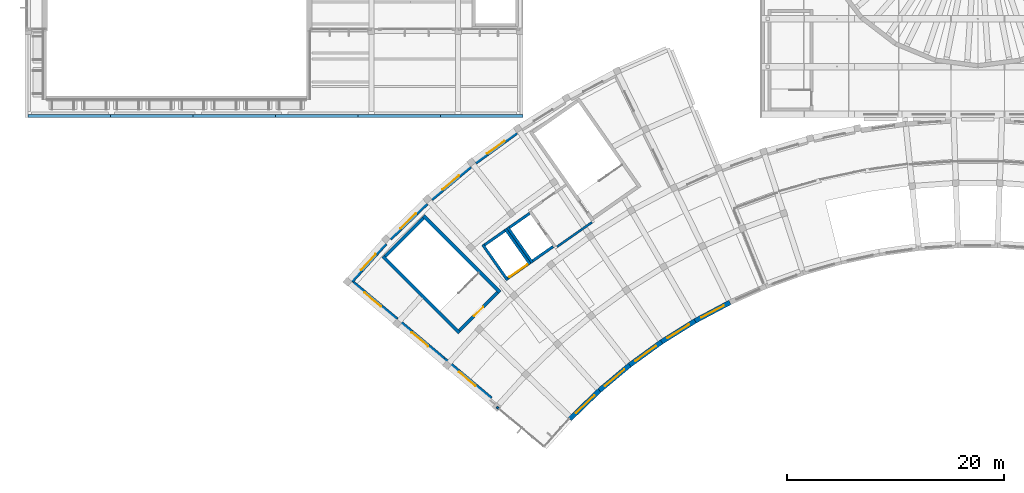
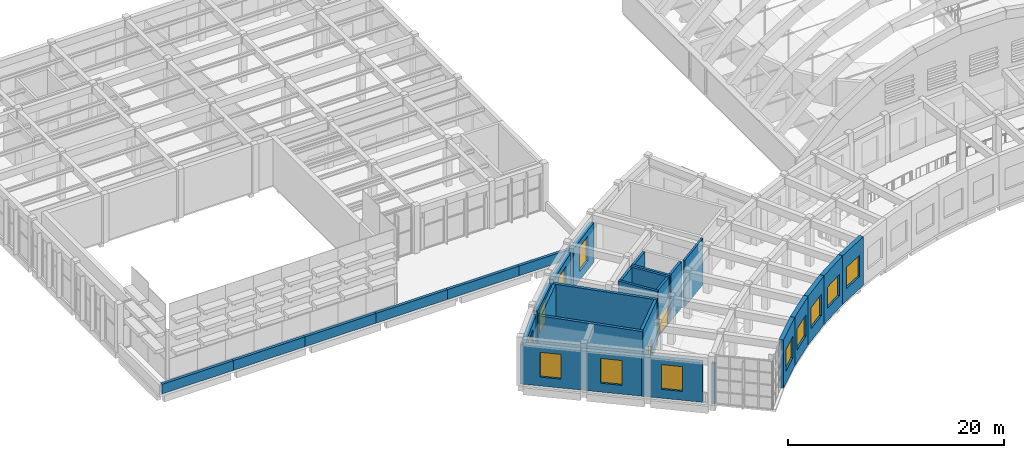
# One storey, part 59 of 94: 31 walls, 12 windows, 2 doors, 14 openings.
"""IFC4 building model written with IfcOpenShell, lengths in metres."""

import ifcopenshell
import ifcopenshell.guid

model = None  # the IFC model being written
_history = None  # IfcOwnerHistory: only IFC2X3 demands one
_inside = {}  # id of a spatial element -> (the spatial element, [elements in it])
_under = {}  # id of a project, library or spatial element -> (it, [spatial elements below it])
_declared = {}  # id of a project -> (the project, [libraries it declares])
_typed = {}  # id of a type object -> (the type object, [elements of that type])
_made_of = {}  # id of a material, layer set ... -> (it, [elements and type objects made of it])


def new_model(schema):
    """Start an empty IFC model of exactly this schema.

    Asked for "IFC4X3", IfcOpenShell would pick the latest addendum, in which some entities
    have other attributes; the version numbers below select the first issue.
    IFC2X3 requires an IfcOwnerHistory on every rooted entity: one is made here for all.
    """
    global model, _history
    if schema == "IFC4X3":
        model = ifcopenshell.file(schema_version=(4, 3, 0, 0))
    else:
        model = ifcopenshell.file(schema=schema)
    _inside.clear()
    _under.clear()
    _declared.clear()
    _typed.clear()
    _made_of.clear()
    _history = None
    if model.schema == "IFC2X3":
        org = make("IfcOrganization", Name="unknown")
        user = make(
            "IfcPersonAndOrganization",
            ThePerson=make("IfcPerson", FamilyName="unknown"),
            TheOrganization=org,
        )
        app = make(
            "IfcApplication",
            ApplicationDeveloper=org,
            Version="unknown",
            ApplicationFullName="unknown",
            ApplicationIdentifier="unknown",
        )
        _history = make(
            "IfcOwnerHistory",
            OwningUser=user,
            OwningApplication=app,
            ChangeAction="ADDED",
            CreationDate=0,
        )
    return model


def make(cls, **values):
    """One entity of the class cls with the attributes given. An attribute that is None is left unset."""
    return model.create_entity(
        cls, **{name: value for name, value in values.items() if value is not None}
    )


def rooted(cls, **values):
    """An entity with a GlobalId (a new one), such as an element, a storey or a relation."""
    return make(cls, GlobalId=ifcopenshell.guid.new(), OwnerHistory=_history, **values)


def si_unit(unit_type, name, prefix=None):
    """IfcSIUnit, for example si_unit("LENGTHUNIT", "METRE", prefix="MILLI")."""
    return make("IfcSIUnit", UnitType=unit_type, Prefix=prefix, Name=name)


def assignment(units):
    """IfcUnitAssignment: the units of a project."""
    return None if units is None else make("IfcUnitAssignment", Units=units)


def point(xyz):
    """IfcCartesianPoint."""
    return None if xyz is None else make("IfcCartesianPoint", Coordinates=xyz)


def direction(xyz):
    """IfcDirection."""
    return None if xyz is None else make("IfcDirection", DirectionRatios=xyz)


def frame(location, z_axis=None, x_axis=None):
    """IfcAxis2Placement3D, a coordinate frame: its origin and axes. An axis left out is left unset."""
    return make(
        "IfcAxis2Placement3D",
        Location=point(location),
        Axis=direction(z_axis),
        RefDirection=direction(x_axis),
    )


def frame_2d(location, x_axis=None):
    """IfcAxis2Placement2D, a coordinate frame in the plane: its origin and x axis."""
    return make(
        "IfcAxis2Placement2D", Location=point(location), RefDirection=direction(x_axis)
    )


def origin():
    """The frame at (0, 0, 0) with its axes left unset."""
    return frame((0.0, 0.0, 0.0))


def place(relative_to, where):
    """IfcLocalPlacement: puts the frame where relative to a parent placement (None: the world)."""
    return make(
        "IfcLocalPlacement", PlacementRelTo=relative_to, RelativePlacement=where
    )


def context(
    kind, dimensions, precision=None, world=None, true_north=None, identifier=None
):
    """IfcGeometricRepresentationContext, for example the 3D "Model" context."""
    return make(
        "IfcGeometricRepresentationContext",
        ContextIdentifier=identifier,
        ContextType=kind,
        CoordinateSpaceDimension=dimensions,
        Precision=precision,
        WorldCoordinateSystem=world,
        TrueNorth=true_north,
    )


def subcontext(parent, identifier, kind, view, scale=None):
    """IfcGeometricRepresentationSubContext, for example "Body" below "Model"."""
    return make(
        "IfcGeometricRepresentationSubContext",
        ContextIdentifier=identifier,
        ContextType=kind,
        ParentContext=parent,
        TargetScale=scale,
        TargetView=view,
    )


def project(units=None, contexts=None):
    """IfcProject with its units and contexts."""
    return rooted(
        "IfcProject",
        Name="project",
        RepresentationContexts=contexts,
        UnitsInContext=assignment(units),
    )


def spatial(cls, under=None, at=None, **own):
    """A site, building, storey or space (cls), placed at a placement, below another one or the project."""
    s = rooted(cls, ObjectPlacement=at, **own)
    if under is not None:
        _under.setdefault(under.id(), (under, []))[1].append(s)
    return s


def profile(cls, at=None, kind="AREA", **sizes):
    """A parametric profile (cls). Its sizes go by their IFC names, for example OverallWidth=200.0."""
    return make(cls, ProfileType=kind, Position=at, **sizes)


def rectangle(**sizes):
    """IfcRectangleProfileDef."""
    return profile("IfcRectangleProfileDef", **sizes)


def extrude(swept, where, along, depth):
    """IfcExtrudedAreaSolid: the profile swept, set in the frame where, extruded along a direction by depth."""
    return make(
        "IfcExtrudedAreaSolid",
        SweptArea=swept,
        Position=where,
        ExtrudedDirection=direction(along),
        Depth=depth,
    )


def shape(context_of_items, identifier, shape_type, items):
    """IfcShapeRepresentation: the items that make up one representation, for example the "Body"."""
    return make(
        "IfcShapeRepresentation",
        ContextOfItems=context_of_items,
        RepresentationIdentifier=identifier,
        RepresentationType=shape_type,
        Items=items,
    )


def material(Name=None, Category=None):
    """IfcMaterial."""
    return make("IfcMaterial", Name=Name, Category=Category)


def layer(
    of_material, thickness, ventilated=None, Name=None, Category=None, Priority=None
):
    """IfcMaterialLayer: one layer of a wall or slab, of a material (None: an air gap)."""
    return make(
        "IfcMaterialLayer",
        Material=of_material,
        LayerThickness=thickness,
        IsVentilated=ventilated,
        Name=Name,
        Category=Category,
        Priority=Priority,
    )


def layer_set(layers, Name=None):
    """IfcMaterialLayerSet."""
    return make("IfcMaterialLayerSet", MaterialLayers=layers, LayerSetName=Name)


def made_of(thing, what):
    """Note that an element or type object is made of a material, layer set ...; save() writes the relation."""
    if what is not None:
        _made_of.setdefault(what.id(), (what, []))[1].append(thing)
    return thing


def type_object(cls, material=None, **own):
    """A type object (cls), such as IfcWallType, which elements share."""
    return made_of(rooted(cls, **own), material)


def element(
    cls,
    number,
    at=None,
    inside=None,
    cuts=None,
    type_object=None,
    material=None,
    context=None,
    identifier="Body",
    shape_type=None,
    held_by="IfcProductDefinitionShape",
    body=None,
    shapes=None,
    **own,
):
    """One element of the class cls, such as IfcWall. Its Tag is "e" and its number.

    at: its placement. inside: the storey or other place that contains it. cuts: it is an
    opening in that element (IfcRelVoidsElement). A single representation is given by context,
    identifier, shape_type and body (its items); several are given by shapes. held_by: the class
    of the entity that holds the representations. save() writes the other relations.
    """
    e = rooted(cls, Tag="e%d" % number, ObjectPlacement=at, **own)
    if body is not None:
        shapes = [shape(context, identifier, shape_type, body)]
    if shapes is not None:
        e.Representation = make(held_by, Representations=shapes)
    if inside is not None:
        _inside.setdefault(inside.id(), (inside, []))[1].append(e)
    if cuts is not None:
        rooted(
            "IfcRelVoidsElement", RelatingBuildingElement=cuts, RelatedOpeningElement=e
        )
    if type_object is not None:
        _typed.setdefault(type_object.id(), (type_object, []))[1].append(e)
    return made_of(e, material)


def fill(opening, filler):
    """IfcRelFillsElement: the door or window that sits in an opening."""
    return rooted(
        "IfcRelFillsElement",
        RelatingOpeningElement=opening,
        RelatedBuildingElement=filler,
    )


def aggregate(whole, parts):
    """IfcRelAggregates: a whole, such as a stair, and the parts it consists of."""
    return rooted("IfcRelAggregates", RelatingObject=whole, RelatedObjects=parts)


def save(model, path):
    """Write the relations noted so far, then the file.

    IfcRelAggregates (storeys below a building ...), IfcRelContainedInSpatialStructure (elements
    in a storey), IfcRelDefinesByType, IfcRelAssociatesMaterial and IfcRelDeclares: one each for
    every whole, place, type object, material and project.
    """
    for whole, parts in _under.values():
        aggregate(whole, parts)
    for where, things in _inside.values():
        rooted(
            "IfcRelContainedInSpatialStructure",
            RelatedElements=things,
            RelatingStructure=where,
        )
    for kind, things in _typed.values():
        rooted("IfcRelDefinesByType", RelatedObjects=things, RelatingType=kind)
    for what, things in _made_of.values():
        rooted("IfcRelAssociatesMaterial", RelatedObjects=things, RelatingMaterial=what)
    for by, libraries in _declared.values():
        rooted("IfcRelDeclares", RelatingContext=by, RelatedDefinitions=libraries)
    model.write(path)


model = new_model("IFC4")

# Units and contexts
model_context = context("Model", 3, precision=1e-05, world=origin(), true_north=direction((0.0, 1.0)))
body_context = subcontext(model_context, "Body", "Model", "MODEL_VIEW")
ifc_project = project(units=[si_unit("LENGTHUNIT", "METRE"), si_unit("AREAUNIT", "SQUARE_METRE"), si_unit("VOLUMEUNIT", "CUBIC_METRE"), si_unit("PLANEANGLEUNIT", "RADIAN"), si_unit("MASSUNIT", "GRAM", prefix="KILO")], contexts=[model_context])

# Site, building, storey
site_placement = place(None, origin())
site = spatial("IfcSite", under=ifc_project, at=site_placement, CompositionType="ELEMENT")
building_placement = place(site_placement, origin())
building = spatial("IfcBuilding", under=site, at=building_placement, Name="Lunette Opera House", CompositionType="ELEMENT")
storey_placement = place(building_placement, frame((0.0, 0.0, 22.5)))
storey = spatial("IfcBuildingStorey", under=building, at=storey_placement, Name="L04", CompositionType="ELEMENT", Elevation=22.5)

# Wall, opening, window
ifc_material_1 = material(Name="Clinker brick", Category="masonry")
ifc_layer_1 = layer(ifc_material_1, 0.449951171875)
ifc_layer_set_1 = layer_set([ifc_layer_1], Name="Clinker brick")
wall_type_1 = type_object("IfcWallType", Name="ARM END WALL 450", PredefinedType="SOLIDWALL", material=ifc_layer_set_1)
wall_1_placement = place(storey_placement, frame((51.02490234375, 38.032958984375, 0.0), z_axis=(0.0, 0.0, 1.0), x_axis=(-0.766065006368, 0.642763102565, 0.0)))
wall_1 = element("IfcWall", 1, at=wall_1_placement, inside=storey, type_object=wall_type_1, Name="Arm End Wall 450 EN-W1 L04", PredefinedType="SOLIDWALL", context=body_context, shape_type="SweptSolid", body=[
    extrude(rectangle(XDim=5.700439453125, YDim=0.449951171875, at=frame_2d((2.85009765625, 0.0))), origin(), (0.0, 0.0, 1.0), 4.449951171875),
])
opening_1_placement = place(wall_1_placement, frame((1.85009765625, 0.0, 1.0)))
opening_1 = element("IfcOpeningElement", 2, at=opening_1_placement, cuts=wall_1, Name="Opening FC-N2089", PredefinedType="OPENING", context=body_context, shape_type="SweptSolid", body=[
    extrude(rectangle(XDim=2.0, YDim=2.800048828125, at=frame_2d((1.0, 1.39990234375))), frame((0.0, 0.237060546875, 0.0), z_axis=(0.0, -1.0, 0.0), x_axis=(1.0, 0.0, 0.0)), (0.0, 0.0, 1.0), 0.473876953125),
])
ifc_material_2 = material(Name="Aluminium", Category="aluminium")
window_type_1 = type_object("IfcWindowType", Name="ARM WINDOW 2000 X 2800", PartitioningType="DOUBLE_PANEL_VERTICAL", PredefinedType="WINDOW", material=ifc_material_2)
window_1_placement = place(opening_1_placement, origin())
window_1 = element("IfcWindow", 3, at=window_1_placement, inside=storey, type_object=window_type_1, Name="Arm Window 2000 X 2800 EN-W1 L04", OverallHeight=2.800048828125, OverallWidth=2.0, PartitioningType="DOUBLE_PANEL_VERTICAL", PredefinedType="WINDOW", context=body_context, shape_type="SweptSolid", body=[
    extrude(rectangle(XDim=2.0, YDim=2.800048828125, at=frame_2d((1.0, 1.39990234375))), frame((0.0, 0.030029296875, 0.0), z_axis=(0.0, -1.0, 0.0), x_axis=(1.0, 0.0, 0.0)), (0.0, 0.0, 1.0), 0.06005859375),
])
fill(opening_1, window_1)

wall_2_placement = place(storey_placement, frame((46.657958984375, 41.697021484375, 0.0), z_axis=(0.0, 0.0, 1.0), x_axis=(-0.766078586631, 0.642746916838, 0.0)))
wall_2 = element("IfcWall", 4, at=wall_2_placement, inside=storey, type_object=wall_type_1, Name="Arm End Wall 450 EN-W2 L04", PredefinedType="SOLIDWALL", context=body_context, shape_type="SweptSolid", body=[
    extrude(rectangle(XDim=5.69921875, YDim=0.449951171875, at=frame_2d((2.849609375, 0.0))), origin(), (0.0, 0.0, 1.0), 4.449951171875),
])
opening_2_placement = place(wall_2_placement, frame((1.85009765625, 0.0, 1.0)))
opening_2 = element("IfcOpeningElement", 5, at=opening_2_placement, cuts=wall_2, Name="Opening FC-N2090", PredefinedType="OPENING", context=body_context, shape_type="SweptSolid", body=[
    extrude(rectangle(XDim=2.0, YDim=2.800048828125, at=frame_2d((1.0, 1.39990234375))), frame((0.0, 0.237060546875, 0.0), z_axis=(0.0, -1.0, 0.0), x_axis=(1.0, 0.0, 0.0)), (0.0, 0.0, 1.0), 0.473876953125),
])
window_2_placement = place(opening_2_placement, origin())
window_2 = element("IfcWindow", 6, at=window_2_placement, inside=storey, type_object=window_type_1, Name="Arm Window 2000 X 2800 EN-W2 L04", OverallHeight=2.800048828125, OverallWidth=2.0, PartitioningType="DOUBLE_PANEL_VERTICAL", PredefinedType="WINDOW", context=body_context, shape_type="SweptSolid", body=[
    extrude(rectangle(XDim=2.0, YDim=2.800048828125, at=frame_2d((1.0, 1.39990234375))), frame((0.0, 0.030029296875, 0.0), z_axis=(0.0, -1.0, 0.0), x_axis=(1.0, 0.0, 0.0)), (0.0, 0.0, 1.0), 0.06005859375),
])
fill(opening_2, window_2)

wall_3_placement = place(storey_placement, frame((42.2919921875, 45.360107421875, 0.0), z_axis=(0.0, 0.0, 1.0), x_axis=(-0.766086094987, 0.642737967657, 0.0)))
wall_3 = element("IfcWall", 7, at=wall_3_placement, inside=storey, type_object=wall_type_1, Name="Arm End Wall 450 EN-W3 L04", PredefinedType="SOLIDWALL", context=body_context, shape_type="SweptSolid", body=[
    extrude(rectangle(XDim=5.700439453125, YDim=0.449951171875, at=frame_2d((2.85009765625, 0.0))), origin(), (0.0, 0.0, 1.0), 4.449951171875),
])
opening_3_placement = place(wall_3_placement, frame((1.85009765625, 0.0, 1.0)))
opening_3 = element("IfcOpeningElement", 8, at=opening_3_placement, cuts=wall_3, Name="Opening FC-N2091", PredefinedType="OPENING", context=body_context, shape_type="SweptSolid", body=[
    extrude(rectangle(XDim=2.0, YDim=2.800048828125, at=frame_2d((1.0, 1.39990234375))), frame((0.0, 0.237060546875, 0.0), z_axis=(0.0, -1.0, 0.0), x_axis=(1.0, 0.0, 0.0)), (0.0, 0.0, 1.0), 0.473876953125),
])
window_3_placement = place(opening_3_placement, origin())
window_3 = element("IfcWindow", 9, at=window_3_placement, inside=storey, type_object=window_type_1, Name="Arm Window 2000 X 2800 EN-W3 L04", OverallHeight=2.800048828125, OverallWidth=2.0, PartitioningType="DOUBLE_PANEL_VERTICAL", PredefinedType="WINDOW", context=body_context, shape_type="SweptSolid", body=[
    extrude(rectangle(XDim=2.0, YDim=2.800048828125, at=frame_2d((1.0, 1.39990234375))), frame((0.0, 0.030029296875, 0.0), z_axis=(0.0, -1.0, 0.0), x_axis=(1.0, 0.0, 0.0)), (0.0, 0.0, 1.0), 0.06005859375),
])
fill(opening_3, window_3)

ifc_material_3 = material(Name="Clinker brick", Category="masonry")
ifc_layer_2 = layer(ifc_material_3, 0.449951171875)
ifc_layer_set_2 = layer_set([ifc_layer_2], Name="Clinker brick")
wall_type_2 = type_object("IfcWallType", Name="ARM RAIN SCREEN WALL 450", PredefinedType="SOLIDWALL", material=ifc_layer_set_2)
wall_4_placement = place(storey_placement, frame((38.154052734375, 48.929931640625, 0.0), z_axis=(0.0, 0.0, 1.0), x_axis=(0.669007879878, 0.74325531055, 0.0)))
wall_4 = element("IfcWall", 10, at=wall_4_placement, inside=storey, type_object=wall_type_2, Name="Arm Rain Screen Wall 450 BW-CW01 L04", PredefinedType="SOLIDWALL", context=body_context, shape_type="SweptSolid", body=[
    extrude(rectangle(XDim=4.68896484375, YDim=0.449951171875, at=frame_2d((2.344482421875, 0.0))), origin(), (0.0, 0.0, 1.0), 4.449951171875),
])
opening_4_placement = place(wall_4_placement, frame((1.344970703125, 0.0, 1.0)))
opening_4 = element("IfcOpeningElement", 11, at=opening_4_placement, cuts=wall_4, Name="Opening FC-N2111", PredefinedType="OPENING", context=body_context, shape_type="SweptSolid", body=[
    extrude(rectangle(XDim=2.0, YDim=2.800048828125, at=frame_2d((1.0, 1.39990234375))), frame((0.0, 0.237060546875, 0.0), z_axis=(0.0, -1.0, 0.0), x_axis=(1.0, 0.0, 0.0)), (0.0, 0.0, 1.0), 0.473876953125),
])
window_4_placement = place(opening_4_placement, origin())
window_4 = element("IfcWindow", 12, at=window_4_placement, inside=storey, type_object=window_type_1, Name="Arm Window 2000 X 2800 BW-CW01 L04", OverallHeight=2.800048828125, OverallWidth=2.0, PartitioningType="DOUBLE_PANEL_VERTICAL", PredefinedType="WINDOW", context=body_context, shape_type="SweptSolid", body=[
    extrude(rectangle(XDim=2.0, YDim=2.800048828125, at=frame_2d((1.0, 1.39990234375))), frame((0.0, 0.030029296875, 0.0), z_axis=(0.0, -1.0, 0.0), x_axis=(1.0, 0.0, 0.0)), (0.0, 0.0, 1.0), 0.06005859375),
])
fill(opening_4, window_4)

wall_5_placement = place(storey_placement, frame((41.7080078125, 52.845947265625, 0.0), z_axis=(0.0, 0.0, 1.0), x_axis=(0.719260611584, 0.694740363462, 0.0)))
wall_5 = element("IfcWall", 13, at=wall_5_placement, inside=storey, type_object=wall_type_2, Name="Arm Rain Screen Wall 450 BW-CW02 L04", PredefinedType="SOLIDWALL", context=body_context, shape_type="SweptSolid", body=[
    extrude(rectangle(XDim=4.689697265625, YDim=0.449951171875, at=frame_2d((2.3447265625, 0.0))), origin(), (0.0, 0.0, 1.0), 4.449951171875),
])
opening_5_placement = place(wall_5_placement, frame((1.344970703125, 0.0, 1.0)))
opening_5 = element("IfcOpeningElement", 14, at=opening_5_placement, cuts=wall_5, Name="Opening FC-N2115", PredefinedType="OPENING", context=body_context, shape_type="SweptSolid", body=[
    extrude(rectangle(XDim=2.0, YDim=2.800048828125, at=frame_2d((1.0, 1.39990234375))), frame((0.0, 0.237060546875, 0.0), z_axis=(0.0, -1.0, 0.0), x_axis=(1.0, 0.0, 0.0)), (0.0, 0.0, 1.0), 0.473876953125),
])
window_5_placement = place(opening_5_placement, origin())
window_5 = element("IfcWindow", 15, at=window_5_placement, inside=storey, type_object=window_type_1, Name="Arm Window 2000 X 2800 BW-CW02 L04", OverallHeight=2.800048828125, OverallWidth=2.0, PartitioningType="DOUBLE_PANEL_VERTICAL", PredefinedType="WINDOW", context=body_context, shape_type="SweptSolid", body=[
    extrude(rectangle(XDim=2.0, YDim=2.800048828125, at=frame_2d((1.0, 1.39990234375))), frame((0.0, 0.030029296875, 0.0), z_axis=(0.0, -1.0, 0.0), x_axis=(1.0, 0.0, 0.0)), (0.0, 0.0, 1.0), 0.06005859375),
])
fill(opening_5, window_5)

wall_6_placement = place(storey_placement, frame((45.527099609375, 56.5048828125, 0.0), z_axis=(0.0, 0.0, 1.0), x_axis=(0.765928460401, 0.642925807187, 0.0)))
wall_6 = element("IfcWall", 16, at=wall_6_placement, inside=storey, type_object=wall_type_2, Name="Arm Rain Screen Wall 450 BW-CW03 L04", PredefinedType="SOLIDWALL", context=body_context, shape_type="SweptSolid", body=[
    extrude(rectangle(XDim=4.688232421875, YDim=0.449951171875, at=frame_2d((2.34423828125, 0.0))), origin(), (0.0, 0.0, 1.0), 4.449951171875),
])
opening_6_placement = place(wall_6_placement, frame((1.343994140625, 0.0, 1.0)))
opening_6 = element("IfcOpeningElement", 17, at=opening_6_placement, cuts=wall_6, Name="Opening FC-N2120", PredefinedType="OPENING", context=body_context, shape_type="SweptSolid", body=[
    extrude(rectangle(XDim=2.0, YDim=2.800048828125, at=frame_2d((1.0, 1.39990234375))), frame((0.0, 0.237060546875, 0.0), z_axis=(0.0, -1.0, 0.0), x_axis=(1.0, 0.0, 0.0)), (0.0, 0.0, 1.0), 0.473876953125),
])
window_6_placement = place(opening_6_placement, origin())
window_6 = element("IfcWindow", 18, at=window_6_placement, inside=storey, type_object=window_type_1, Name="Arm Window 2000 X 2800 BW-CW03 L04", OverallHeight=2.800048828125, OverallWidth=2.0, PartitioningType="DOUBLE_PANEL_VERTICAL", PredefinedType="WINDOW", context=body_context, shape_type="SweptSolid", body=[
    extrude(rectangle(XDim=2.0, YDim=2.800048828125, at=frame_2d((1.0, 1.39990234375))), frame((0.0, 0.030029296875, 0.0), z_axis=(0.0, -1.0, 0.0), x_axis=(1.0, 0.0, 0.0)), (0.0, 0.0, 1.0), 0.06005859375),
])
fill(opening_6, window_6)

wall_7_placement = place(storey_placement, frame((49.591064453125, 59.887939453125, 0.0), z_axis=(0.0, 0.0, 1.0), x_axis=(0.808981453193, 0.587834167423, 0.0)))
wall_7 = element("IfcWall", 19, at=wall_7_placement, inside=storey, type_object=wall_type_2, Name="Arm Rain Screen Wall 450 BW-CW04 L04", PredefinedType="SOLIDWALL", context=body_context, shape_type="SweptSolid", body=[
    extrude(rectangle(XDim=4.6884765625, YDim=0.449951171875, at=frame_2d((2.34423828125, 0.0))), origin(), (0.0, 0.0, 1.0), 4.449951171875),
])
opening_7_placement = place(wall_7_placement, frame((1.343994140625, 0.0, 1.0)))
opening_7 = element("IfcOpeningElement", 20, at=opening_7_placement, cuts=wall_7, Name="Opening FC-N2125", PredefinedType="OPENING", context=body_context, shape_type="SweptSolid", body=[
    extrude(rectangle(XDim=2.0, YDim=2.800048828125, at=frame_2d((1.0, 1.39990234375))), frame((0.0, 0.237060546875, 0.0), z_axis=(0.0, -1.0, 0.0), x_axis=(1.0, 0.0, 0.0)), (0.0, 0.0, 1.0), 0.473876953125),
])
window_7_placement = place(opening_7_placement, origin())
window_7 = element("IfcWindow", 21, at=window_7_placement, inside=storey, type_object=window_type_1, Name="Arm Window 2000 X 2800 BW-CW04 L04", OverallHeight=2.800048828125, OverallWidth=2.0, PartitioningType="DOUBLE_PANEL_VERTICAL", PredefinedType="WINDOW", context=body_context, shape_type="SweptSolid", body=[
    extrude(rectangle(XDim=2.0, YDim=2.800048828125, at=frame_2d((1.0, 1.39990234375))), frame((0.0, 0.030029296875, 0.0), z_axis=(0.0, -1.0, 0.0), x_axis=(1.0, 0.0, 0.0)), (0.0, 0.0, 1.0), 0.06005859375),
])
fill(opening_7, window_7)

ifc_material_4 = material(Name="Clinker brick", Category="masonry")
ifc_layer_3 = layer(ifc_material_4, 0.449951171875)
ifc_layer_set_3 = layer_set([ifc_layer_3], Name="Clinker brick")
wall_type_3 = type_object("IfcWallType", Name="CRESCENT BRICK WALL 450", PredefinedType="SOLIDWALL", material=ifc_layer_set_3)
wall_8_placement = place(storey_placement, frame((58.327880859375, 36.177978515625, 0.0), z_axis=(0.0, 0.0, 1.0), x_axis=(0.719395911917, 0.694600260522, 0.0)))
wall_8 = element("IfcWall", 22, at=wall_8_placement, inside=storey, type_object=wall_type_3, Name="Crescent Brick Wall 450 BW-A01 L04", PredefinedType="SOLIDWALL", context=body_context, shape_type="SweptSolid", body=[
    extrude(rectangle(XDim=3.790771484375, YDim=0.449951171875, at=frame_2d((1.8955078125, 0.0))), origin(), (0.0, 0.0, 1.0), 5.5),
])
opening_8_placement = place(wall_8_placement, frame((0.798095703125, 0.0, 1.39990234375)))
opening_8 = element("IfcOpeningElement", 23, at=opening_8_placement, cuts=wall_8, Name="Opening FC-N2003", PredefinedType="OPENING", context=body_context, shape_type="SweptSolid", body=[
    extrude(rectangle(XDim=2.340087890625, YDim=2.39990234375, at=frame_2d((1.169921875, 1.199951171875))), frame((0.0, 0.237060546875, 0.0), z_axis=(0.0, -1.0, 0.0), x_axis=(1.0, 0.0, 0.0)), (0.0, 0.0, 1.0), 0.473876953125),
])
ifc_material_5 = material(Name="Aluminium", Category="aluminium")
window_type_2 = type_object("IfcWindowType", Name="CHICAGO WINDOW 2340 X 2400", PartitioningType="TRIPLE_PANEL_VERTICAL", PredefinedType="WINDOW", material=ifc_material_5)
window_8_placement = place(opening_8_placement, origin())
window_8 = element("IfcWindow", 24, at=window_8_placement, inside=storey, type_object=window_type_2, Name="Chicago Window 2340 X 2400 BW-A01 L04", OverallHeight=2.39990234375, OverallWidth=2.340087890625, PartitioningType="TRIPLE_PANEL_VERTICAL", PredefinedType="WINDOW", context=body_context, shape_type="SweptSolid", body=[
    extrude(rectangle(XDim=2.340087890625, YDim=2.39990234375, at=frame_2d((1.169921875, 1.199951171875))), frame((0.0, 0.030029296875, 0.0), z_axis=(0.0, -1.0, 0.0), x_axis=(1.0, 0.0, 0.0)), (0.0, 0.0, 1.0), 0.06005859375),
])
fill(opening_8, window_8)

wall_9_placement = place(storey_placement, frame((61.054931640625, 38.81103515625, 0.0), z_axis=(0.0, 0.0, 1.0), x_axis=(0.766009592259, 0.642829141038, 0.0)))
wall_9 = element("IfcWall", 25, at=wall_9_placement, inside=storey, type_object=wall_type_3, Name="Crescent Brick Wall 450 BW-A02 L04", PredefinedType="SOLIDWALL", context=body_context, shape_type="SweptSolid", body=[
    extrude(rectangle(XDim=3.644775390625, YDim=0.449951171875, at=frame_2d((1.822265625, 0.0))), origin(), (0.0, 0.0, 1.0), 5.5),
])
opening_9_placement = place(wall_9_placement, frame((0.653076171875, 0.0, 1.39990234375)))
opening_9 = element("IfcOpeningElement", 26, at=opening_9_placement, cuts=wall_9, Name="Opening FC-N2006", PredefinedType="OPENING", context=body_context, shape_type="SweptSolid", body=[
    extrude(rectangle(XDim=2.340087890625, YDim=2.39990234375, at=frame_2d((1.169921875, 1.199951171875))), frame((0.0, 0.237060546875, 0.0), z_axis=(0.0, -1.0, 0.0), x_axis=(1.0, 0.0, 0.0)), (0.0, 0.0, 1.0), 0.473876953125),
])
window_9_placement = place(opening_9_placement, origin())
window_9 = element("IfcWindow", 27, at=window_9_placement, inside=storey, type_object=window_type_2, Name="Chicago Window 2340 X 2400 BW-A02 L04", OverallHeight=2.39990234375, OverallWidth=2.340087890625, PartitioningType="TRIPLE_PANEL_VERTICAL", PredefinedType="WINDOW", context=body_context, shape_type="SweptSolid", body=[
    extrude(rectangle(XDim=2.340087890625, YDim=2.39990234375, at=frame_2d((1.169921875, 1.199951171875))), frame((0.0, 0.030029296875, 0.0), z_axis=(0.0, -1.0, 0.0), x_axis=(1.0, 0.0, 0.0)), (0.0, 0.0, 1.0), 0.06005859375),
])
fill(opening_9, window_9)

wall_10_placement = place(storey_placement, frame((63.846923828125, 41.154052734375, 0.0), z_axis=(0.0, 0.0, 1.0), x_axis=(0.809109587744, 0.58765778734, 0.0)))
wall_10 = element("IfcWall", 28, at=wall_10_placement, inside=storey, type_object=wall_type_3, Name="Crescent Brick Wall 450 BW-A03 L04", PredefinedType="SOLIDWALL", context=body_context, shape_type="SweptSolid", body=[
    extrude(rectangle(XDim=3.644775390625, YDim=0.449951171875, at=frame_2d((1.822265625, 0.0))), origin(), (0.0, 0.0, 1.0), 5.5),
])
opening_10_placement = place(wall_10_placement, frame((0.653076171875, 0.0, 1.39990234375)))
opening_10 = element("IfcOpeningElement", 29, at=opening_10_placement, cuts=wall_10, Name="Opening FC-N2009", PredefinedType="OPENING", context=body_context, shape_type="SweptSolid", body=[
    extrude(rectangle(XDim=2.340087890625, YDim=2.39990234375, at=frame_2d((1.169921875, 1.199951171875))), frame((0.0, 0.237060546875, 0.0), z_axis=(0.0, -1.0, 0.0), x_axis=(1.0, 0.0, 0.0)), (0.0, 0.0, 1.0), 0.473876953125),
])
window_10_placement = place(opening_10_placement, origin())
window_10 = element("IfcWindow", 30, at=window_10_placement, inside=storey, type_object=window_type_2, Name="Chicago Window 2340 X 2400 BW-A03 L04", OverallHeight=2.39990234375, OverallWidth=2.340087890625, PartitioningType="TRIPLE_PANEL_VERTICAL", PredefinedType="WINDOW", context=body_context, shape_type="SweptSolid", body=[
    extrude(rectangle(XDim=2.340087890625, YDim=2.39990234375, at=frame_2d((1.169921875, 1.199951171875))), frame((0.0, 0.030029296875, 0.0), z_axis=(0.0, -1.0, 0.0), x_axis=(1.0, 0.0, 0.0)), (0.0, 0.0, 1.0), 0.06005859375),
])
fill(opening_10, window_10)

wall_11_placement = place(storey_placement, frame((66.7958984375, 43.2958984375, 0.0), z_axis=(0.0, 0.0, 1.0), x_axis=(0.848047203697, 0.529920692464, 0.0)))
wall_11 = element("IfcWall", 31, at=wall_11_placement, inside=storey, type_object=wall_type_3, Name="Crescent Brick Wall 450 BW-A04 L04", PredefinedType="SOLIDWALL", context=body_context, shape_type="SweptSolid", body=[
    extrude(rectangle(XDim=3.64599609375, YDim=0.449951171875, at=frame_2d((1.822998046875, 0.0))), origin(), (0.0, 0.0, 1.0), 5.5),
])
opening_11_placement = place(wall_11_placement, frame((0.653076171875, 0.0, 1.39990234375)))
opening_11 = element("IfcOpeningElement", 32, at=opening_11_placement, cuts=wall_11, Name="Opening FC-N2012", PredefinedType="OPENING", context=body_context, shape_type="SweptSolid", body=[
    extrude(rectangle(XDim=2.340087890625, YDim=2.39990234375, at=frame_2d((1.169921875, 1.199951171875))), frame((0.0, 0.237060546875, 0.0), z_axis=(0.0, -1.0, 0.0), x_axis=(1.0, 0.0, 0.0)), (0.0, 0.0, 1.0), 0.473876953125),
])
window_11_placement = place(opening_11_placement, origin())
window_11 = element("IfcWindow", 33, at=window_11_placement, inside=storey, type_object=window_type_2, Name="Chicago Window 2340 X 2400 BW-A04 L04", OverallHeight=2.39990234375, OverallWidth=2.340087890625, PartitioningType="TRIPLE_PANEL_VERTICAL", PredefinedType="WINDOW", context=body_context, shape_type="SweptSolid", body=[
    extrude(rectangle(XDim=2.340087890625, YDim=2.39990234375, at=frame_2d((1.169921875, 1.199951171875))), frame((0.0, 0.030029296875, 0.0), z_axis=(0.0, -1.0, 0.0), x_axis=(1.0, 0.0, 0.0)), (0.0, 0.0, 1.0), 0.06005859375),
])
fill(opening_11, window_11)

wall_12_placement = place(storey_placement, frame((69.887939453125, 45.22802734375, 0.0), z_axis=(0.0, 0.0, 1.0), x_axis=(0.882849344925, 0.469656293651, 0.0)))
wall_12 = element("IfcWall", 34, at=wall_12_placement, inside=storey, type_object=wall_type_3, Name="Crescent Brick Wall 450 BW-A05 L04", PredefinedType="SOLIDWALL", context=body_context, shape_type="SweptSolid", body=[
    extrude(rectangle(XDim=3.64501953125, YDim=0.449951171875, at=frame_2d((1.822509765625, 0.0))), origin(), (0.0, 0.0, 1.0), 5.5),
])
opening_12_placement = place(wall_12_placement, frame((0.653076171875, 0.0, 1.39990234375)))
opening_12 = element("IfcOpeningElement", 35, at=opening_12_placement, cuts=wall_12, Name="Opening FC-N2015", PredefinedType="OPENING", context=body_context, shape_type="SweptSolid", body=[
    extrude(rectangle(XDim=2.340087890625, YDim=2.39990234375, at=frame_2d((1.169921875, 1.199951171875))), frame((0.0, 0.237060546875, 0.0), z_axis=(0.0, -1.0, 0.0), x_axis=(1.0, 0.0, 0.0)), (0.0, 0.0, 1.0), 0.473876953125),
])
window_12_placement = place(opening_12_placement, origin())
window_12 = element("IfcWindow", 36, at=window_12_placement, inside=storey, type_object=window_type_2, Name="Chicago Window 2340 X 2400 BW-A05 L04", OverallHeight=2.39990234375, OverallWidth=2.340087890625, PartitioningType="TRIPLE_PANEL_VERTICAL", PredefinedType="WINDOW", context=body_context, shape_type="SweptSolid", body=[
    extrude(rectangle(XDim=2.340087890625, YDim=2.39990234375, at=frame_2d((1.169921875, 1.199951171875))), frame((0.0, 0.030029296875, 0.0), z_axis=(0.0, -1.0, 0.0), x_axis=(1.0, 0.0, 0.0)), (0.0, 0.0, 1.0), 0.06005859375),
])
fill(opening_12, window_12)

# Walls
ifc_material_6 = material(Name="Insulated aluminium sandwich panel", Category="aluminium")
ifc_layer_4 = layer(ifc_material_6, 0.179931640625)
ifc_layer_set_4 = layer_set([ifc_layer_4], Name="Insulated aluminium sandwich panel")
wall_type_4 = type_object("IfcWallType", Name="CURTAIN WALL INFILL 180", PredefinedType="SOLIDWALL", material=ifc_layer_set_4)
wall_13_placement = place(storey_placement, frame((51.800048828125, 37.089111328125, 0.0), z_axis=(0.0, 0.0, 1.0), x_axis=(-0.767105498424, 0.641520969485, 0.0)))
element("IfcWall", 37, at=wall_13_placement, inside=storey, type_object=wall_type_4, Name="Curtain Wall Infill 180 IN6 L04", PredefinedType="SOLIDWALL", context=body_context, shape_type="SweptSolid", body=[
    extrude(rectangle(XDim=0.30517578125, YDim=0.179931640625, at=frame_2d((0.152587890625, 0.0))), origin(), (0.0, 0.0, 1.0), 4.64990234375),
])
ifc_material_7 = material(Name="Concrete C35/45", Category="concrete")
ifc_layer_5 = layer(ifc_material_7, 0.199951171875)
ifc_layer_set_5 = layer_set([ifc_layer_5], Name="Concrete C35/45")
wall_type_5 = type_object("IfcWallType", Name="LOBBY WALL 200", PredefinedType="PARTITIONING", material=ifc_layer_set_5)
wall_14_placement = place(storey_placement, frame((57.125, 52.069091796875, 0.0), z_axis=(0.0, 0.0, 1.0), x_axis=(0.81911891796, 0.573623742744, 0.0)))
element("IfcWall", 38, at=wall_14_placement, inside=storey, type_object=wall_type_5, Name="FL2 lobby wall 4a", PredefinedType="PARTITIONING", context=body_context, shape_type="SweptSolid", body=[
    extrude(rectangle(XDim=3.958984375, YDim=0.199951171875, at=frame_2d((1.9794921875, 0.0))), origin(), (0.0, 0.0, 1.0), 5.25),
])
ifc_material_8 = material(Name="Concrete C35/45", Category="concrete")
ifc_layer_6 = layer(ifc_material_8, 0.25)
ifc_layer_set_6 = layer_set([ifc_layer_6], Name="Concrete C35/45")
wall_type_6 = type_object("IfcWallType", Name="RC LIFT SHAFT WALL 250", PredefinedType="SOLIDWALL", material=ifc_layer_set_6)
wall_15_placement = place(storey_placement, frame((54.623046875, 55.1689453125, 0.0), z_axis=(0.0, 0.0, 1.0), x_axis=(-0.819226933165, -0.573469469089, 0.0)))
element("IfcWall", 39, at=wall_15_placement, inside=storey, type_object=wall_type_6, Name="FL2 shaft wall 2", PredefinedType="SOLIDWALL", context=body_context, shape_type="SweptSolid", body=[
    extrude(rectangle(XDim=2.2998046875, YDim=0.25, at=frame_2d((1.14990234375, 0.0))), origin(), (0.0, 0.0, 1.0), 5.25),
])
wall_16_placement = place(storey_placement, frame((52.56494140625, 53.881103515625, 0.0), z_axis=(0.0, 0.0, 1.0), x_axis=(0.573572956461, -0.819154480923, 0.0)))
element("IfcWall", 40, at=wall_16_placement, inside=storey, type_object=wall_type_6, Name="FL2 shaft wall 3", PredefinedType="SOLIDWALL", context=body_context, shape_type="SweptSolid", body=[
    extrude(rectangle(XDim=3.99951171875, YDim=0.25, at=frame_2d((1.999755859375, 0.0))), origin(), (0.0, 0.0, 1.0), 5.25),
])
wall_17_placement = place(storey_placement, frame((54.889892578125, 50.779052734375, 0.0), z_axis=(0.0, 0.0, 1.0), x_axis=(0.819366508838, 0.573270027295, 0.0)))
element("IfcWall", 41, at=wall_17_placement, inside=storey, type_object=wall_type_6, Name="FL2 shaft wall 4", PredefinedType="SOLIDWALL", context=body_context, shape_type="SweptSolid", body=[
    extrude(rectangle(XDim=2.300537109375, YDim=0.25, at=frame_2d((1.150390625, 0.0))), origin(), (0.0, 0.0, 1.0), 5.25),
])
wall_18_placement = place(storey_placement, frame((54.655029296875, 50.4609375, 0.0), z_axis=(0.0, 0.0, 1.0), x_axis=(-0.573572956461, 0.819154480923, 0.0)))
element("IfcWall", 42, at=wall_18_placement, inside=storey, type_object=wall_type_6, Name="LF1 shaft wall 1", PredefinedType="SOLIDWALL", context=body_context, shape_type="SweptSolid", body=[
    extrude(rectangle(XDim=3.99951171875, YDim=0.25, at=frame_2d((1.999755859375, 0.0))), origin(), (0.0, 0.0, 1.0), 5.25),
])
wall_19_placement = place(storey_placement, frame((52.330078125, 53.56298828125, 0.0), z_axis=(0.0, 0.0, 1.0), x_axis=(-0.819316661421, -0.57334126689, 0.0)))
element("IfcWall", 43, at=wall_19_placement, inside=storey, type_object=wall_type_6, Name="LF1 shaft wall 2", PredefinedType="SOLIDWALL", context=body_context, shape_type="SweptSolid", body=[
    extrude(rectangle(XDim=2.30078125, YDim=0.25, at=frame_2d((1.150390625, 0.0))), origin(), (0.0, 0.0, 1.0), 5.25),
])
wall_20_placement = place(storey_placement, frame((50.27099609375, 52.27490234375, 0.0), z_axis=(0.0, 0.0, 1.0), x_axis=(0.57360163893, -0.819134396675, 0.0)))
element("IfcWall", 44, at=wall_20_placement, inside=storey, type_object=wall_type_6, Name="LF1 shaft wall 3", PredefinedType="SOLIDWALL", context=body_context, shape_type="SweptSolid", body=[
    extrude(rectangle(XDim=3.999267578125, YDim=0.25, at=frame_2d((1.99951171875, 0.0))), origin(), (0.0, 0.0, 1.0), 5.25),
])

# Wall, opening, door
wall_21_placement = place(storey_placement, frame((52.595947265625, 49.173095703125, 0.0), z_axis=(0.0, 0.0, 1.0), x_axis=(0.819366508838, 0.573270027295, 0.0)))
wall_21 = element("IfcWall", 45, at=wall_21_placement, inside=storey, type_object=wall_type_6, Name="LF1 shaft wall 4", PredefinedType="SOLIDWALL", context=body_context, shape_type="SweptSolid", body=[
    extrude(rectangle(XDim=2.300537109375, YDim=0.25, at=frame_2d((1.150390625, 0.0))), origin(), (0.0, 0.0, 1.0), 5.25),
])
opening_13_placement = place(wall_21_placement, frame((0.199951171875, 0.0, 0.0)))
opening_13 = element("IfcOpeningElement", 46, at=opening_13_placement, cuts=wall_21, Name="Opening FC-LD018", PredefinedType="OPENING", context=body_context, shape_type="SweptSolid", body=[
    extrude(rectangle(XDim=2.0, YDim=2.199951171875, at=frame_2d((1.0, 1.10009765625))), frame((0.0, 0.136962890625, 0.0), z_axis=(0.0, -1.0, 0.0), x_axis=(1.0, 0.0, 0.0)), (0.0, 0.0, 1.0), 0.27392578125),
])
ifc_material_9 = material(Name="Stainless steel", Category="steel")
door_type_1 = type_object("IfcDoorType", Name="LIFT LANDING DOOR 2000 X 2200", OperationType="DOUBLE_DOOR_SLIDING", PredefinedType="DOOR", material=ifc_material_9)
door_1_placement = place(opening_13_placement, origin())
door_1 = element("IfcDoor", 47, at=door_1_placement, inside=storey, type_object=door_type_1, Name="LF1 lift landing door", OperationType="DOUBLE_DOOR_SLIDING", OverallHeight=2.199951171875, OverallWidth=2.0, PredefinedType="DOOR", context=body_context, shape_type="SweptSolid", body=[
    extrude(rectangle(XDim=2.0, YDim=2.199951171875, at=frame_2d((1.0, 1.10009765625))), frame((0.0, 0.02490234375, 0.0), z_axis=(0.0, -1.0, 0.0), x_axis=(1.0, 0.0, 0.0)), (0.0, 0.0, 1.0), 0.050048828125),
])
fill(opening_13, door_1)

ifc_material_10 = material(Name="Concrete C35/45", Category="concrete")
ifc_layer_7 = layer(ifc_material_10, 0.300048828125)
ifc_layer_set_7 = layer_set([ifc_layer_7], Name="Concrete C35/45")
wall_type_7 = type_object("IfcWallType", Name="RC STAIR ENCLOSURE WALL 300", PredefinedType="SOLIDWALL", material=ifc_layer_set_7)
wall_22_placement = place(storey_placement, frame((48.12890625, 44.3349609375, 0.0), z_axis=(0.0, 0.0, 1.0), x_axis=(0.707106781187, 0.707106781187, 0.0)))
wall_22 = element("IfcWall", 48, at=wall_22_placement, inside=storey, type_object=wall_type_7, Name="ST1 enclosure wall 1", PredefinedType="SOLIDWALL", context=body_context, shape_type="SweptSolid", body=[
    extrude(rectangle(XDim=5.000732421875, YDim=0.300048828125, at=frame_2d((2.50048828125, 0.0))), origin(), (0.0, 0.0, 1.0), 5.25),
])
opening_14_placement = place(wall_22_placement, frame((1.89990234375, 0.0, 0.0)))
opening_14 = element("IfcOpeningElement", 49, at=opening_14_placement, cuts=wall_22, Name="Opening FC-D7012", PredefinedType="OPENING", context=body_context, shape_type="SweptSolid", body=[
    extrude(rectangle(XDim=1.199951171875, YDim=2.10009765625, at=frame_2d((0.60009765625, 1.050048828125))), frame((0.0, 0.162109375, 0.0), z_axis=(0.0, -1.0, 0.0), x_axis=(1.0, 0.0, 0.0)), (0.0, 0.0, 1.0), 0.323974609375),
])
ifc_material_11 = material(Name="Steel", Category="steel")
door_type_2 = type_object("IfcDoorType", Name="FIRE DOOR 1200 X 2100", OperationType="SINGLE_SWING_LEFT", PredefinedType="DOOR", material=ifc_material_11)
door_2_placement = place(opening_14_placement, origin())
door_2 = element("IfcDoor", 50, at=door_2_placement, inside=storey, type_object=door_type_2, Name="ST1 stair door", OperationType="SINGLE_SWING_LEFT", OverallHeight=2.10009765625, OverallWidth=1.199951171875, PredefinedType="DOOR", context=body_context, shape_type="SweptSolid", body=[
    extrude(rectangle(XDim=1.199951171875, YDim=2.10009765625, at=frame_2d((0.60009765625, 1.050048828125))), frame((0.0, 0.02490234375, 0.0), z_axis=(0.0, -1.0, 0.0), x_axis=(1.0, 0.0, 0.0)), (0.0, 0.0, 1.0), 0.050048828125),
])
fill(opening_14, door_2)

# Walls
wall_23_placement = place(storey_placement, frame((51.876953125, 47.87109375, 0.0), z_axis=(0.0, 0.0, 1.0), x_axis=(-0.707118988363, 0.7070945738, 0.0)))
element("IfcWall", 51, at=wall_23_placement, inside=storey, type_object=wall_type_7, Name="ST1 enclosure wall 2", PredefinedType="SOLIDWALL", context=body_context, shape_type="SweptSolid", body=[
    extrude(rectangle(XDim=9.999755859375, YDim=0.300048828125, at=frame_2d((5.0, 0.0))), origin(), (0.0, 0.0, 1.0), 5.25),
])
wall_24_placement = place(storey_placement, frame((44.805908203125, 54.72998046875, 0.0), z_axis=(0.0, 0.0, 1.0), x_axis=(-0.707106781187, -0.707106781187, 0.0)))
element("IfcWall", 52, at=wall_24_placement, inside=storey, type_object=wall_type_7, Name="ST1 enclosure wall 3", PredefinedType="SOLIDWALL", context=body_context, shape_type="SweptSolid", body=[
    extrude(rectangle(XDim=5.00048828125, YDim=0.300048828125, at=frame_2d((2.500244140625, 0.0))), origin(), (0.0, 0.0, 1.0), 5.25),
])
wall_25_placement = place(storey_placement, frame((41.05810546875, 51.194091796875, 0.0), z_axis=(0.0, 0.0, 1.0), x_axis=(0.7070945738, -0.707118988363, 0.0)))
element("IfcWall", 53, at=wall_25_placement, inside=storey, type_object=wall_type_7, Name="ST1 enclosure wall 4", PredefinedType="SOLIDWALL", context=body_context, shape_type="SweptSolid", body=[
    extrude(rectangle(XDim=9.999755859375, YDim=0.300048828125, at=frame_2d((5.0, 0.0))), origin(), (0.0, 0.0, 1.0), 5.25),
])
ifc_material_12 = material(Name="Clinker brick", Category="masonry")
ifc_layer_8 = layer(ifc_material_12, 0.300048828125)
ifc_layer_set_8 = layer_set([ifc_layer_8], Name="Clinker brick")
wall_type_8 = type_object("IfcWallType", Name="ROOF PARAPET WALL 300", PredefinedType="PARAPET", material=ifc_layer_set_8)
wall_26_placement = place(storey_placement, frame((8.300048828125, 64.14990234375, 0.0), z_axis=(0.0, 0.0, 1.0), x_axis=(1.0, 0.0, 0.0)))
element("IfcWall", 54, at=wall_26_placement, inside=storey, type_object=wall_type_8, Name="Roof Parapet Wall 300 PA-L03-08 L04", PredefinedType="PARAPET", context=body_context, shape_type="SweptSolid", body=[
    extrude(rectangle(XDim=7.616943359375, YDim=0.300048828125, at=frame_2d((3.80859375, 0.0))), origin(), (0.0, 0.0, 1.0), 1.10009765625),
])
wall_27_placement = place(storey_placement, frame((15.9169921875, 64.14990234375, 0.0), z_axis=(0.0, 0.0, 1.0), x_axis=(1.0, 0.0, 0.0)))
element("IfcWall", 55, at=wall_27_placement, inside=storey, type_object=wall_type_8, Name="Roof Parapet Wall 300 PA-L03-09 L04", PredefinedType="PARAPET", context=body_context, shape_type="SweptSolid", body=[
    extrude(rectangle(XDim=7.615966796875, YDim=0.300048828125, at=frame_2d((3.80810546875, 0.0))), origin(), (0.0, 0.0, 1.0), 1.10009765625),
])
wall_28_placement = place(storey_placement, frame((23.532958984375, 64.14990234375, 0.0), z_axis=(0.0, 0.0, 1.0), x_axis=(1.0, 0.0, 0.0)))
element("IfcWall", 56, at=wall_28_placement, inside=storey, type_object=wall_type_8, Name="Roof Parapet Wall 300 PA-L03-10 L04", PredefinedType="PARAPET", context=body_context, shape_type="SweptSolid", body=[
    extrude(rectangle(XDim=7.616943359375, YDim=0.300048828125, at=frame_2d((3.80859375, 0.0))), origin(), (0.0, 0.0, 1.0), 1.10009765625),
])
wall_29_placement = place(storey_placement, frame((31.14990234375, 64.14990234375, 0.0), z_axis=(0.0, 0.0, 1.0), x_axis=(1.0, 0.0, 0.0)))
element("IfcWall", 57, at=wall_29_placement, inside=storey, type_object=wall_type_8, Name="Roof Parapet Wall 300 PA-L03-11 L04", PredefinedType="PARAPET", context=body_context, shape_type="SweptSolid", body=[
    extrude(rectangle(XDim=7.6171875, YDim=0.300048828125, at=frame_2d((3.80859375, 0.0))), origin(), (0.0, 0.0, 1.0), 1.10009765625),
])
wall_30_placement = place(storey_placement, frame((38.76708984375, 64.14990234375, 0.0), z_axis=(0.0, 0.0, 1.0), x_axis=(1.0, 0.0, 0.0)))
element("IfcWall", 58, at=wall_30_placement, inside=storey, type_object=wall_type_8, Name="Roof Parapet Wall 300 PA-L03-12 L04", PredefinedType="PARAPET", context=body_context, shape_type="SweptSolid", body=[
    extrude(rectangle(XDim=7.615966796875, YDim=0.300048828125, at=frame_2d((3.80810546875, 0.0))), origin(), (0.0, 0.0, 1.0), 1.10009765625),
])
wall_31_placement = place(storey_placement, frame((46.383056640625, 64.14990234375, 0.0), z_axis=(0.0, 0.0, 1.0), x_axis=(1.0, 0.0, 0.0)))
element("IfcWall", 59, at=wall_31_placement, inside=storey, type_object=wall_type_8, Name="Roof Parapet Wall 300 PA-L03-13 L04", PredefinedType="PARAPET", context=body_context, shape_type="SweptSolid", body=[
    extrude(rectangle(XDim=7.616943359375, YDim=0.300048828125, at=frame_2d((3.80859375, 0.0))), origin(), (0.0, 0.0, 1.0), 1.10009765625),
])

save(model, "model.ifc")
